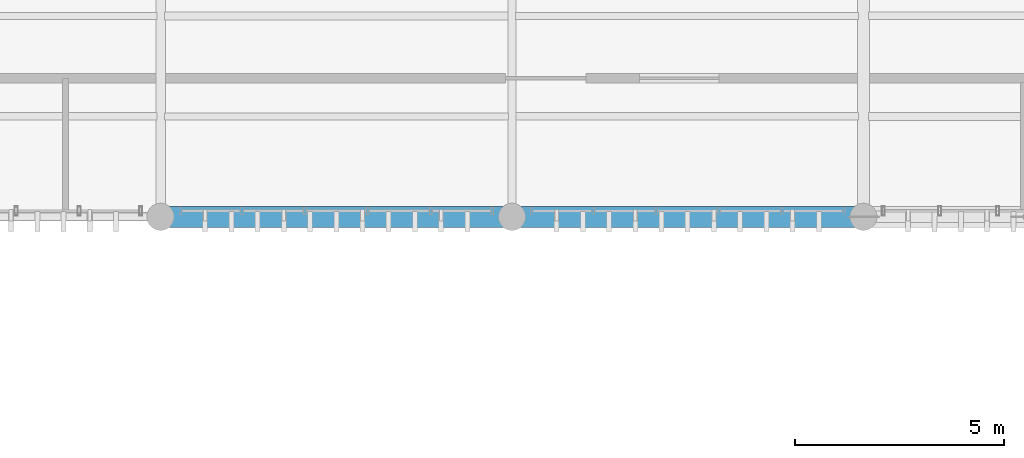
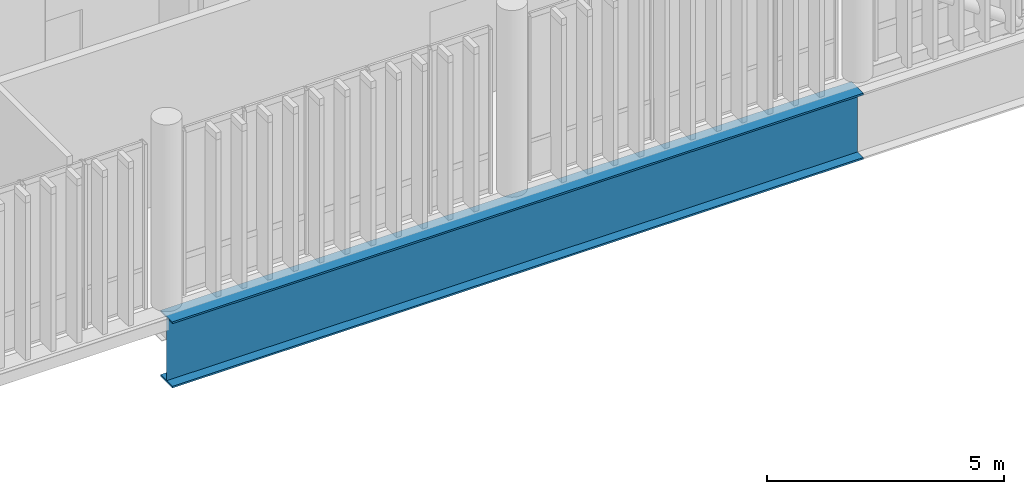
# One storey, part 31 of 86: 1 beam.
"""IFC4 building model written with IfcOpenShell, lengths in metres."""

from ifc_helpers import new_model, si_unit, direction, frame, origin_with_axes, origin_2d_with_axis, place, context, subcontext, project, spatial, i_section, extrude, material, material_profile, profile_set, type_object, element, save


model = new_model("IFC4")

# Units and contexts
model_context = context("Model", 3, precision=1e-05, world=origin_with_axes(), true_north=direction((0.0, 1.0)))
body_context = subcontext(model_context, "Body", "Model", "MODEL_VIEW")
ifc_project = project(units=[si_unit("LENGTHUNIT", "METRE"), si_unit("AREAUNIT", "SQUARE_METRE"), si_unit("VOLUMEUNIT", "CUBIC_METRE"), si_unit("PLANEANGLEUNIT", "RADIAN"), si_unit("MASSUNIT", "GRAM", prefix="KILO"), si_unit("THERMODYNAMICTEMPERATUREUNIT", "KELVIN")], contexts=[model_context])

# Site, building, storey
site_placement = place(None, origin_with_axes())
site = spatial("IfcSite", under=ifc_project, at=site_placement, CompositionType="ELEMENT")
building_placement = place(site_placement, origin_with_axes())
building = spatial("IfcBuilding", under=site, at=building_placement, Name="Montbau Bow Law Courts", CompositionType="ELEMENT")
storey_placement = place(building_placement, frame((0.0, 0.0, 29.7), z_axis=(0.0, 0.0, 1.0), x_axis=(1.0, 0.0, 0.0)))
storey = spatial("IfcBuildingStorey", under=building, at=storey_placement, Name="L06", CompositionType="ELEMENT", Elevation=29.7)

# Beam
ifc_material = material(Name="Steel CSA G40.21 Grade 350WT (350 MPa)", Category="steel")
ifc_material_profile = material_profile(ifc_material, i_section(OverallWidth=0.5, OverallDepth=1.7, WebThickness=0.02, FlangeThickness=0.045, at=origin_2d_with_axis()), Name="WWF1700X480", Category="Main", Priority=0)
ifc_profile_set = profile_set([ifc_material_profile], Name="Steel CSA G40.21 Grade 350WT (350 MPa)")
beam_type = type_object("IfcBeamType", Name="B-TRG-02", PredefinedType="USERDEFINED", material=ifc_profile_set)
beam_placement = place(None, frame((80.4, 39.0, 28.51), z_axis=(1.0, 0.0, 0.0), x_axis=(0.0, 1.0, 0.0)))
element("IfcBeam", 1, at=beam_placement, inside=storey, type_object=beam_type, Name="TRG-L06-S0059:bm2_0062", ObjectType="GIRDER", PredefinedType="USERDEFINED", context=body_context, shape_type="SweptSolid", body=[
    extrude(i_section(OverallWidth=0.5, OverallDepth=1.7, WebThickness=0.02, FlangeThickness=0.045, at=origin_2d_with_axis()), origin_with_axes(), (0.0, 0.0, 1.0), 16.8),
])

save(model, "model.ifc")
